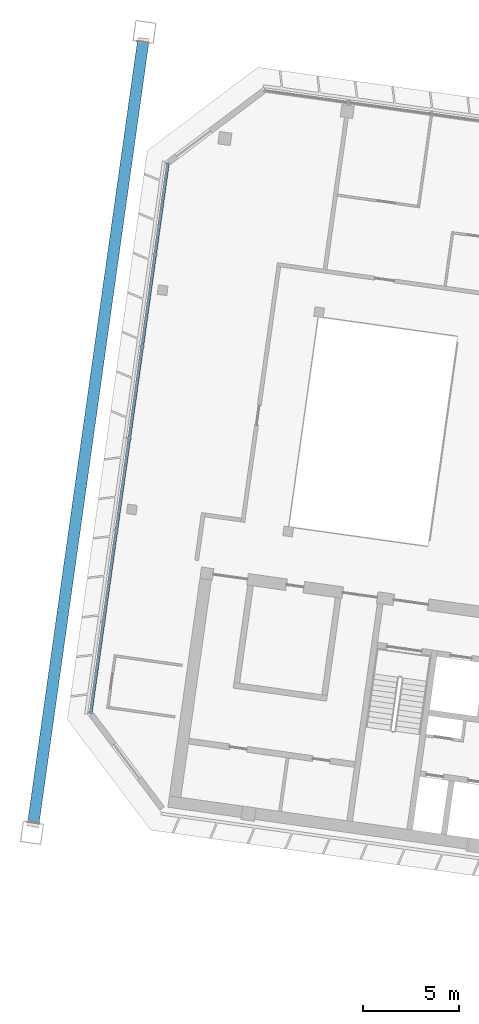
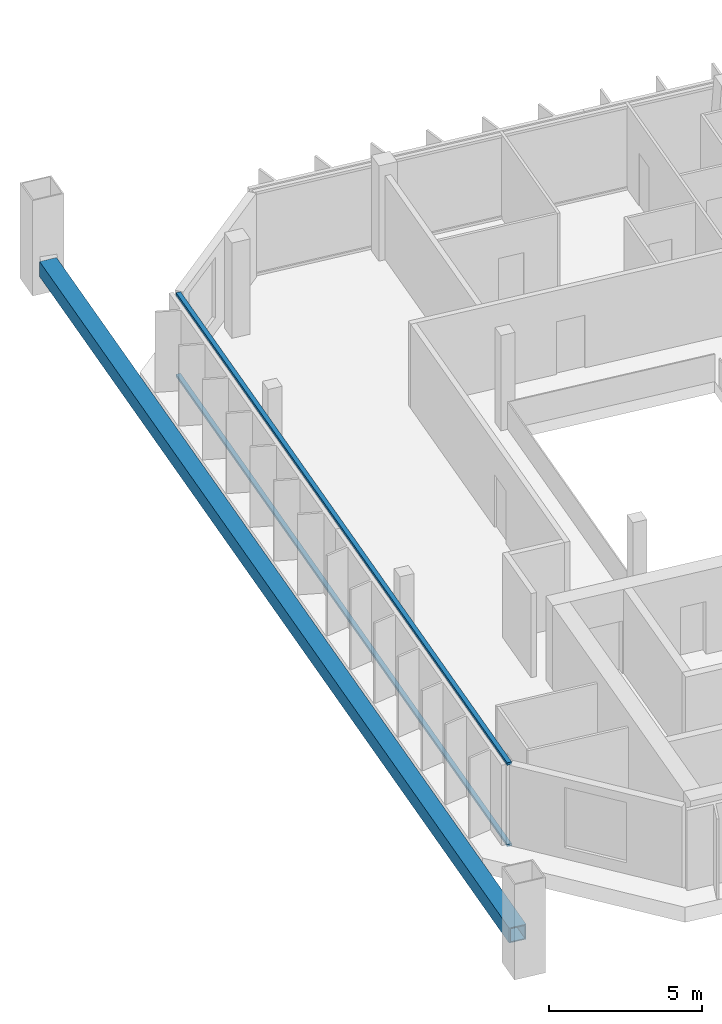
# One storey, part 3 of 26: 3 members, 1 element without a shape of its own.
"""IFC4 building model written with IfcOpenShell, lengths in metres."""

import ifcopenshell
import ifcopenshell.guid

model = None  # the IFC model being written
_history = None  # IfcOwnerHistory: only IFC2X3 demands one
_inside = {}  # id of a spatial element -> (the spatial element, [elements in it])
_under = {}  # id of a project, library or spatial element -> (it, [spatial elements below it])
_declared = {}  # id of a project -> (the project, [libraries it declares])
_typed = {}  # id of a type object -> (the type object, [elements of that type])
_made_of = {}  # id of a material, layer set ... -> (it, [elements and type objects made of it])


def new_model(schema):
    """Start an empty IFC model of exactly this schema.

    Asked for "IFC4X3", IfcOpenShell would pick the latest addendum, in which some entities
    have other attributes; the version numbers below select the first issue.
    IFC2X3 requires an IfcOwnerHistory on every rooted entity: one is made here for all.
    """
    global model, _history
    if schema == "IFC4X3":
        model = ifcopenshell.file(schema_version=(4, 3, 0, 0))
    else:
        model = ifcopenshell.file(schema=schema)
    _inside.clear()
    _under.clear()
    _declared.clear()
    _typed.clear()
    _made_of.clear()
    _history = None
    if model.schema == "IFC2X3":
        org = make("IfcOrganization", Name="unknown")
        user = make(
            "IfcPersonAndOrganization",
            ThePerson=make("IfcPerson", FamilyName="unknown"),
            TheOrganization=org,
        )
        app = make(
            "IfcApplication",
            ApplicationDeveloper=org,
            Version="unknown",
            ApplicationFullName="unknown",
            ApplicationIdentifier="unknown",
        )
        _history = make(
            "IfcOwnerHistory",
            OwningUser=user,
            OwningApplication=app,
            ChangeAction="ADDED",
            CreationDate=0,
        )
    return model


def make(cls, **values):
    """One entity of the class cls with the attributes given. An attribute that is None is left unset."""
    return model.create_entity(
        cls, **{name: value for name, value in values.items() if value is not None}
    )


def rooted(cls, **values):
    """An entity with a GlobalId (a new one), such as an element, a storey or a relation."""
    return make(cls, GlobalId=ifcopenshell.guid.new(), OwnerHistory=_history, **values)


def si_unit(unit_type, name, prefix=None):
    """IfcSIUnit, for example si_unit("LENGTHUNIT", "METRE", prefix="MILLI")."""
    return make("IfcSIUnit", UnitType=unit_type, Prefix=prefix, Name=name)


def assignment(units):
    """IfcUnitAssignment: the units of a project."""
    return None if units is None else make("IfcUnitAssignment", Units=units)


def point(xyz):
    """IfcCartesianPoint."""
    return None if xyz is None else make("IfcCartesianPoint", Coordinates=xyz)


def direction(xyz):
    """IfcDirection."""
    return None if xyz is None else make("IfcDirection", DirectionRatios=xyz)


def frame(location, z_axis=None, x_axis=None):
    """IfcAxis2Placement3D, a coordinate frame: its origin and axes. An axis left out is left unset."""
    return make(
        "IfcAxis2Placement3D",
        Location=point(location),
        Axis=direction(z_axis),
        RefDirection=direction(x_axis),
    )


def frame_2d(location, x_axis=None):
    """IfcAxis2Placement2D, a coordinate frame in the plane: its origin and x axis."""
    return make(
        "IfcAxis2Placement2D", Location=point(location), RefDirection=direction(x_axis)
    )


def origin():
    """The frame at (0, 0, 0) with its axes left unset."""
    return frame((0.0, 0.0, 0.0))


def origin_2d():
    """The frame at (0, 0) in the plane with its x axis left unset."""
    return frame_2d((0.0, 0.0))


def place(relative_to, where):
    """IfcLocalPlacement: puts the frame where relative to a parent placement (None: the world)."""
    return make(
        "IfcLocalPlacement", PlacementRelTo=relative_to, RelativePlacement=where
    )


def context(
    kind, dimensions, precision=None, world=None, true_north=None, identifier=None
):
    """IfcGeometricRepresentationContext, for example the 3D "Model" context."""
    return make(
        "IfcGeometricRepresentationContext",
        ContextIdentifier=identifier,
        ContextType=kind,
        CoordinateSpaceDimension=dimensions,
        Precision=precision,
        WorldCoordinateSystem=world,
        TrueNorth=true_north,
    )


def subcontext(parent, identifier, kind, view, scale=None):
    """IfcGeometricRepresentationSubContext, for example "Body" below "Model"."""
    return make(
        "IfcGeometricRepresentationSubContext",
        ContextIdentifier=identifier,
        ContextType=kind,
        ParentContext=parent,
        TargetScale=scale,
        TargetView=view,
    )


def project(units=None, contexts=None):
    """IfcProject with its units and contexts."""
    return rooted(
        "IfcProject",
        Name="project",
        RepresentationContexts=contexts,
        UnitsInContext=assignment(units),
    )


def spatial(cls, under=None, at=None, **own):
    """A site, building, storey or space (cls), placed at a placement, below another one or the project."""
    s = rooted(cls, ObjectPlacement=at, **own)
    if under is not None:
        _under.setdefault(under.id(), (under, []))[1].append(s)
    return s


def profile(cls, at=None, kind="AREA", **sizes):
    """A parametric profile (cls). Its sizes go by their IFC names, for example OverallWidth=200.0."""
    return make(cls, ProfileType=kind, Position=at, **sizes)


def rectangle(**sizes):
    """IfcRectangleProfileDef."""
    return profile("IfcRectangleProfileDef", **sizes)


def hollow_rectangle(**sizes):
    """IfcRectangleHollowProfileDef."""
    return profile("IfcRectangleHollowProfileDef", **sizes)


def extrude(swept, where, along, depth):
    """IfcExtrudedAreaSolid: the profile swept, set in the frame where, extruded along a direction by depth."""
    return make(
        "IfcExtrudedAreaSolid",
        SweptArea=swept,
        Position=where,
        ExtrudedDirection=direction(along),
        Depth=depth,
    )


def shape(context_of_items, identifier, shape_type, items):
    """IfcShapeRepresentation: the items that make up one representation, for example the "Body"."""
    return make(
        "IfcShapeRepresentation",
        ContextOfItems=context_of_items,
        RepresentationIdentifier=identifier,
        RepresentationType=shape_type,
        Items=items,
    )


def material(Name=None, Category=None):
    """IfcMaterial."""
    return make("IfcMaterial", Name=Name, Category=Category)


def material_profile(
    of_material, cross_section, Name=None, Category=None, Priority=None
):
    """IfcMaterialProfile: a cross section and its material."""
    return make(
        "IfcMaterialProfile",
        Name=Name,
        Material=of_material,
        Profile=cross_section,
        Priority=Priority,
        Category=Category,
    )


def profile_set(profiles, Name=None, composite=None):
    """IfcMaterialProfileSet."""
    return make(
        "IfcMaterialProfileSet",
        Name=Name,
        MaterialProfiles=profiles,
        CompositeProfile=composite,
    )


def made_of(thing, what):
    """Note that an element or type object is made of a material, layer set ...; save() writes the relation."""
    if what is not None:
        _made_of.setdefault(what.id(), (what, []))[1].append(thing)
    return thing


def type_object(cls, material=None, **own):
    """A type object (cls), such as IfcWallType, which elements share."""
    return made_of(rooted(cls, **own), material)


def element(
    cls,
    number,
    at=None,
    inside=None,
    cuts=None,
    type_object=None,
    material=None,
    context=None,
    identifier="Body",
    shape_type=None,
    held_by="IfcProductDefinitionShape",
    body=None,
    shapes=None,
    **own,
):
    """One element of the class cls, such as IfcWall. Its Tag is "e" and its number.

    at: its placement. inside: the storey or other place that contains it. cuts: it is an
    opening in that element (IfcRelVoidsElement). A single representation is given by context,
    identifier, shape_type and body (its items); several are given by shapes. held_by: the class
    of the entity that holds the representations. save() writes the other relations.
    """
    e = rooted(cls, Tag="e%d" % number, ObjectPlacement=at, **own)
    if body is not None:
        shapes = [shape(context, identifier, shape_type, body)]
    if shapes is not None:
        e.Representation = make(held_by, Representations=shapes)
    if inside is not None:
        _inside.setdefault(inside.id(), (inside, []))[1].append(e)
    if cuts is not None:
        rooted(
            "IfcRelVoidsElement", RelatingBuildingElement=cuts, RelatedOpeningElement=e
        )
    if type_object is not None:
        _typed.setdefault(type_object.id(), (type_object, []))[1].append(e)
    return made_of(e, material)


def aggregate(whole, parts):
    """IfcRelAggregates: a whole, such as a stair, and the parts it consists of."""
    return rooted("IfcRelAggregates", RelatingObject=whole, RelatedObjects=parts)


def save(model, path):
    """Write the relations noted so far, then the file.

    IfcRelAggregates (storeys below a building ...), IfcRelContainedInSpatialStructure (elements
    in a storey), IfcRelDefinesByType, IfcRelAssociatesMaterial and IfcRelDeclares: one each for
    every whole, place, type object, material and project.
    """
    for whole, parts in _under.values():
        aggregate(whole, parts)
    for where, things in _inside.values():
        rooted(
            "IfcRelContainedInSpatialStructure",
            RelatedElements=things,
            RelatingStructure=where,
        )
    for kind, things in _typed.values():
        rooted("IfcRelDefinesByType", RelatedObjects=things, RelatingType=kind)
    for what, things in _made_of.values():
        rooted("IfcRelAssociatesMaterial", RelatedObjects=things, RelatingMaterial=what)
    for by, libraries in _declared.values():
        rooted("IfcRelDeclares", RelatingContext=by, RelatedDefinitions=libraries)
    model.write(path)


model = new_model("IFC4")

# Units and contexts
model_context = context("Model", 3, precision=1e-05, world=origin(), true_north=direction((0.0, 1.0)))
body_context = subcontext(model_context, "Body", "Model", "MODEL_VIEW")
ifc_project = project(units=[si_unit("LENGTHUNIT", "METRE"), si_unit("AREAUNIT", "SQUARE_METRE"), si_unit("VOLUMEUNIT", "CUBIC_METRE"), si_unit("PLANEANGLEUNIT", "RADIAN"), si_unit("MASSUNIT", "GRAM", prefix="KILO")], contexts=[model_context])

# Site, building, storey
site_placement = place(None, origin())
site = spatial("IfcSite", under=ifc_project, at=site_placement, CompositionType="ELEMENT")
building_placement = place(site_placement, origin())
building = spatial("IfcBuilding", under=site, at=building_placement, Name="Mirante Cascada Hotel Towers", CompositionType="ELEMENT")
storey_placement = place(building_placement, frame((0.0, 0.0, 235.6)))
storey = spatial("IfcBuildingStorey", under=building, at=storey_placement, Name="L56", CompositionType="ELEMENT", Elevation=235.6)

# Member
ifc_material_1 = material(Name="Steel ASTM A572 Gr 50", Category="steel")
ifc_material_profile_1 = material_profile(ifc_material_1, hollow_rectangle(XDim=0.6, YDim=0.6, WallThickness=0.04, at=origin_2d()), Name="Box chord 600x600x40 ASTM A572 Gr 50")
ifc_profile_set_1 = profile_set([ifc_material_profile_1], Name="Steel ASTM A572 Gr 50")
member_type_1 = type_object("IfcMemberType", Name="Box chord 600x600x40 ASTM A572 Gr 50", PredefinedType="CHORD", material=ifc_profile_set_1)
member_1_placement = place(storey_placement, frame((-70.4791, -16.9822, 1.0), z_axis=(0.1391743, 0.9902679, 0.0), x_axis=(-0.9902679, 0.1391743, 0.0)))
element("IfcMember", 1, at=member_1_placement, inside=storey, type_object=member_type_1, Name="exochord T1 L56 1", PredefinedType="CHORD", context=body_context, shape_type="SweptSolid", body=[
    extrude(hollow_rectangle(XDim=0.6, YDim=0.6, WallThickness=0.04, at=origin_2d()), origin(), (0.0, 0.0, 1.0), 40.94),
])

# Curtain wall, members
ifc_material_2 = material(Name="Aluminium mullion and transom frame with clear laminated glass", Category="aluminium")
curtain_wall_type = type_object("IfcCurtainWallType", Name="End ribbon curtain wall ECW2", PredefinedType="NOTDEFINED", material=ifc_material_2)
curtain_wall_placement = place(storey_placement, origin())
curtain_wall = element("IfcCurtainWall", 2, at=curtain_wall_placement, inside=storey, type_object=curtain_wall_type, Name="Outer end wall T1 L56", PredefinedType="NOTDEFINED")
ifc_material_3 = material(Name="Anodised aluminium extrusion", Category="aluminium")
ifc_material_profile_2 = material_profile(ifc_material_3, rectangle(XDim=0.16, YDim=0.1, at=origin_2d()), Name="ECW2 TRANSOM 100x160")
ifc_profile_set_2 = profile_set([ifc_material_profile_2], Name="Anodised aluminium extrusion")
member_type_2 = type_object("IfcMemberType", Name="ECW2 transom 100x160", PredefinedType="USERDEFINED", material=ifc_profile_set_2)
member_2_placement = place(storey_placement, frame((-67.5105, -11.308, 0.05), z_axis=(0.1391757, 0.9902677, 0.0), x_axis=(-0.9902677, 0.1391757, 0.0)))
member_2 = element("IfcMember", 3, at=member_2_placement, type_object=member_type_2, Name="ECW2 sill transom", ObjectType="TRANSOM", PredefinedType="USERDEFINED", context=body_context, shape_type="SweptSolid", body=[
    extrude(rectangle(XDim=0.16, YDim=0.1, at=origin_2d()), origin(), (0.0, 0.0, 1.0), 28.8757),
])
member_3_placement = place(storey_placement, frame((-67.5105, -11.308, 3.3), z_axis=(0.1391757, 0.9902677, 0.0), x_axis=(-0.9902677, 0.1391757, 0.0)))
member_3 = element("IfcMember", 4, at=member_3_placement, type_object=member_type_2, Name="ECW2 head transom", ObjectType="TRANSOM", PredefinedType="USERDEFINED", context=body_context, shape_type="SweptSolid", body=[
    extrude(rectangle(XDim=0.16, YDim=0.1, at=origin_2d()), origin(), (0.0, 0.0, 1.0), 28.8757),
])
aggregate(curtain_wall, [member_2, member_3])

save(model, "model.ifc")
